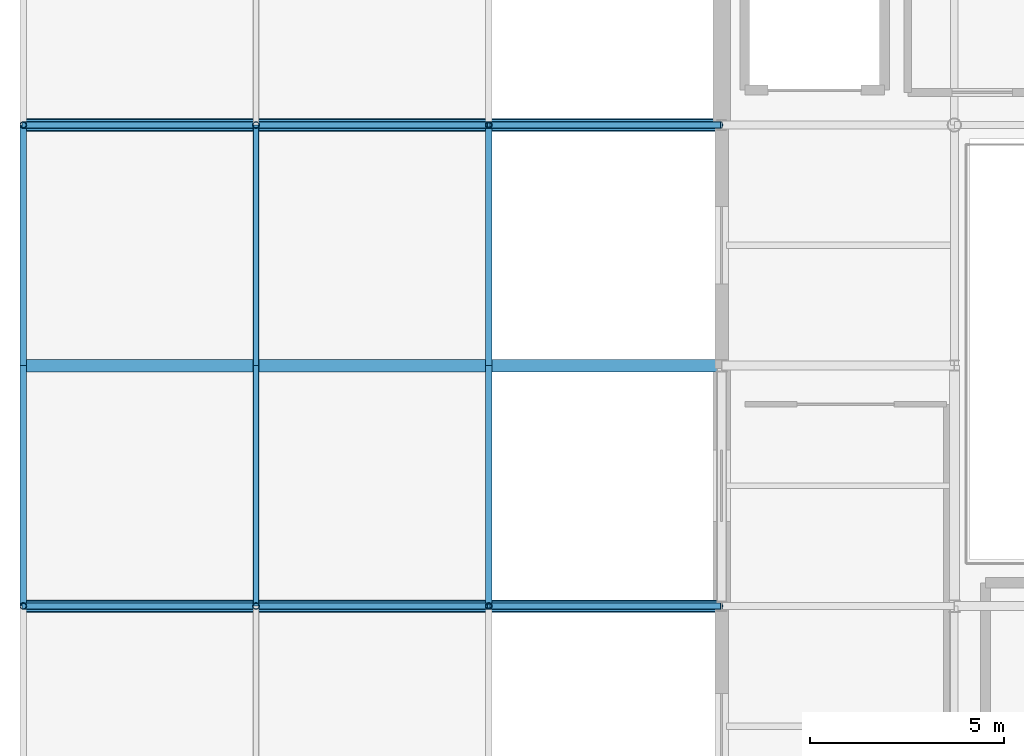
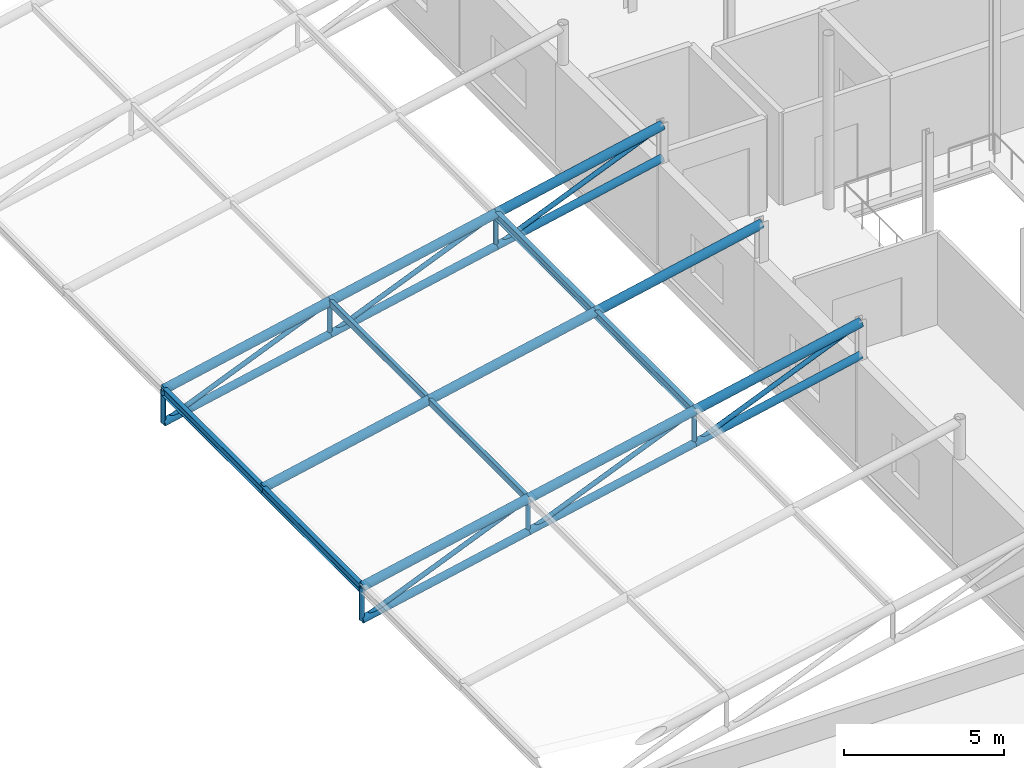
# One storey, part 21 of 84: 33 members.
"""IFC4 building model written with IfcOpenShell, lengths in metres."""

from ifc_helpers import new_model, si_unit, direction, frame, origin, origin_2d, place, context, subcontext, project, spatial, hollow_rectangle, hollow_circle, i_section, extrude, material, material_profile, profile_set, type_object, element, save


model = new_model("IFC4")

# Units and contexts
model_context = context("Model", 3, precision=1e-05, world=origin(), true_north=direction((0.0, 1.0)))
body_context = subcontext(model_context, "Body", "Model", "MODEL_VIEW")
ifc_project = project(units=[si_unit("LENGTHUNIT", "METRE"), si_unit("AREAUNIT", "SQUARE_METRE"), si_unit("VOLUMEUNIT", "CUBIC_METRE"), si_unit("PLANEANGLEUNIT", "RADIAN"), si_unit("MASSUNIT", "GRAM", prefix="KILO")], contexts=[model_context])

# Site, building, storey
site_placement = place(None, origin())
site = spatial("IfcSite", under=ifc_project, at=site_placement, CompositionType="ELEMENT")
building_placement = place(site_placement, origin())
building = spatial("IfcBuilding", under=site, at=building_placement, Name="Mirzam Square Science Centre", CompositionType="ELEMENT")
storey_placement = place(building_placement, frame((0.0, 0.0, 10.800048828125)))
storey = spatial("IfcBuildingStorey", under=building, at=storey_placement, Name="L02", CompositionType="ELEMENT", Elevation=10.800048828125)

# Members
ifc_material = material(Name="Steel S355", Category="steel")
ifc_material_profile_1 = material_profile(ifc_material, hollow_circle(Radius=0.084228515625, WallThickness=0.008056640625, at=origin_2d()), Name="168.3x8.0CHS")
ifc_profile_set_1 = profile_set([ifc_material_profile_1], Name="Steel S355")
member_type_1 = type_object("IfcMemberType", Name="BR-CHS168", PredefinedType="BRACE", material=ifc_profile_set_1)
member_1_placement = place(storey_placement, frame((0.0, 49.60009765625, 0.174560546875), z_axis=(0.922529582988, 0.0, 0.385926377063), x_axis=(0.0, 1.0, 0.0)))
element("IfcMember", 1, at=member_1_placement, inside=storey, type_object=member_type_1, Name="Wedge truss web diagonal Y9 bay 1", PredefinedType="BRACE", context=body_context, shape_type="SweptSolid", body=[
    extrude(hollow_circle(Radius=0.084228515625, WallThickness=0.008056640625, at=origin_2d()), origin(), (0.0, 0.0, 1.0), 6.50390625),
])
member_2_placement = place(storey_placement, frame((0.0, 49.60009765625, 0.174560546875), z_axis=(0.0, 0.0, 1.0), x_axis=(1.0, 0.0, 0.0)))
element("IfcMember", 2, at=member_2_placement, inside=storey, type_object=member_type_1, Name="Wedge truss post Y9 bay 1", PredefinedType="BRACE", context=body_context, shape_type="SweptSolid", body=[
    extrude(hollow_circle(Radius=0.084228515625, WallThickness=0.008056640625, at=origin_2d()), origin(), (0.0, 0.0, 1.0), 1.25),
])
member_3_placement = place(storey_placement, frame((6.0, 49.60009765625, 1.4345703125), z_axis=(0.922542947163, 0.0, 0.385894429396), x_axis=(0.0, 1.0, 0.0)))
element("IfcMember", 3, at=member_3_placement, inside=storey, type_object=member_type_1, Name="Wedge truss web diagonal Y9 bay 2", PredefinedType="BRACE", context=body_context, shape_type="SweptSolid", body=[
    extrude(hollow_circle(Radius=0.084228515625, WallThickness=0.008056640625, at=origin_2d()), origin(), (0.0, 0.0, 1.0), 6.503662109375),
])
member_4_placement = place(storey_placement, frame((6.0, 49.60009765625, 1.4345703125), z_axis=(0.0, 0.0, 1.0), x_axis=(1.0, 0.0, 0.0)))
element("IfcMember", 4, at=member_4_placement, inside=storey, type_object=member_type_1, Name="Wedge truss post Y9 bay 2", PredefinedType="BRACE", context=body_context, shape_type="SweptSolid", body=[
    extrude(hollow_circle(Radius=0.084228515625, WallThickness=0.008056640625, at=origin_2d()), origin(), (0.0, 0.0, 1.0), 1.25),
])
member_5_placement = place(storey_placement, frame((12.0, 49.60009765625, 2.6943359375), z_axis=(0.922529582988, 0.0, 0.385926377063), x_axis=(0.0, 1.0, 0.0)))
element("IfcMember", 5, at=member_5_placement, inside=storey, type_object=member_type_1, Name="Wedge truss web diagonal Y9 bay 3", PredefinedType="BRACE", context=body_context, shape_type="SweptSolid", body=[
    extrude(hollow_circle(Radius=0.084228515625, WallThickness=0.008056640625, at=origin_2d()), origin(), (0.0, 0.0, 1.0), 6.50390625),
])
member_6_placement = place(storey_placement, frame((12.0, 49.60009765625, 2.6943359375), z_axis=(0.0, 0.0, 1.0), x_axis=(1.0, 0.0, 0.0)))
element("IfcMember", 6, at=member_6_placement, inside=storey, type_object=member_type_1, Name="Wedge truss post Y9 bay 3", PredefinedType="BRACE", context=body_context, shape_type="SweptSolid", body=[
    extrude(hollow_circle(Radius=0.084228515625, WallThickness=0.008056640625, at=origin_2d()), origin(), (0.0, 0.0, 1.0), 1.25),
])
member_7_placement = place(storey_placement, frame((0.0, 62.0, 0.174560546875), z_axis=(0.922529582988, 0.0, 0.385926377063), x_axis=(0.0, 1.0, 0.0)))
element("IfcMember", 7, at=member_7_placement, inside=storey, type_object=member_type_1, Name="Wedge truss web diagonal Y11 bay 1", PredefinedType="BRACE", context=body_context, shape_type="SweptSolid", body=[
    extrude(hollow_circle(Radius=0.084228515625, WallThickness=0.008056640625, at=origin_2d()), origin(), (0.0, 0.0, 1.0), 6.50390625),
])
member_8_placement = place(storey_placement, frame((0.0, 62.0, 0.174560546875), z_axis=(0.0, 0.0, 1.0), x_axis=(1.0, 0.0, 0.0)))
element("IfcMember", 8, at=member_8_placement, inside=storey, type_object=member_type_1, Name="Wedge truss post Y11 bay 1", PredefinedType="BRACE", context=body_context, shape_type="SweptSolid", body=[
    extrude(hollow_circle(Radius=0.084228515625, WallThickness=0.008056640625, at=origin_2d()), origin(), (0.0, 0.0, 1.0), 1.25),
])
member_9_placement = place(storey_placement, frame((6.0, 62.0, 1.4345703125), z_axis=(0.922542947163, 0.0, 0.385894429396), x_axis=(0.0, 1.0, 0.0)))
element("IfcMember", 9, at=member_9_placement, inside=storey, type_object=member_type_1, Name="Wedge truss web diagonal Y11 bay 2", PredefinedType="BRACE", context=body_context, shape_type="SweptSolid", body=[
    extrude(hollow_circle(Radius=0.084228515625, WallThickness=0.008056640625, at=origin_2d()), origin(), (0.0, 0.0, 1.0), 6.503662109375),
])
member_10_placement = place(storey_placement, frame((6.0, 62.0, 1.4345703125), z_axis=(0.0, 0.0, 1.0), x_axis=(1.0, 0.0, 0.0)))
element("IfcMember", 10, at=member_10_placement, inside=storey, type_object=member_type_1, Name="Wedge truss post Y11 bay 2", PredefinedType="BRACE", context=body_context, shape_type="SweptSolid", body=[
    extrude(hollow_circle(Radius=0.084228515625, WallThickness=0.008056640625, at=origin_2d()), origin(), (0.0, 0.0, 1.0), 1.25),
])
member_11_placement = place(storey_placement, frame((12.0, 62.0, 2.6943359375), z_axis=(0.922529582988, 0.0, 0.385926377063), x_axis=(0.0, 1.0, 0.0)))
element("IfcMember", 11, at=member_11_placement, inside=storey, type_object=member_type_1, Name="Wedge truss web diagonal Y11 bay 3", PredefinedType="BRACE", context=body_context, shape_type="SweptSolid", body=[
    extrude(hollow_circle(Radius=0.084228515625, WallThickness=0.008056640625, at=origin_2d()), origin(), (0.0, 0.0, 1.0), 6.50390625),
])
member_12_placement = place(storey_placement, frame((12.0, 62.0, 2.6943359375), z_axis=(0.0, 0.0, 1.0), x_axis=(1.0, 0.0, 0.0)))
element("IfcMember", 12, at=member_12_placement, inside=storey, type_object=member_type_1, Name="Wedge truss post Y11 bay 3", PredefinedType="BRACE", context=body_context, shape_type="SweptSolid", body=[
    extrude(hollow_circle(Radius=0.084228515625, WallThickness=0.008056640625, at=origin_2d()), origin(), (0.0, 0.0, 1.0), 1.25),
])
ifc_material_profile_2 = material_profile(ifc_material, hollow_circle(Radius=0.136474609375, WallThickness=0.010009765625, at=origin_2d()), Name="273.0x10.0CHS")
ifc_profile_set_2 = profile_set([ifc_material_profile_2], Name="Steel S355")
member_type_2 = type_object("IfcMemberType", Name="CH-CHS273", PredefinedType="CHORD", material=ifc_profile_set_2)
for number, where, z_axis, x_axis, name in (
    (13, (0.0, 49.60009765625, 0.174560546875), (0.978653176229, 0.0, 0.205518759868), (0.0, 1.0, 0.0), "Wedge truss bottom chord Y9 bay 1"),
    (14, (6.0, 49.60009765625, 1.4345703125), (0.978661184912, 0.0, 0.205480619879), (0.0, 1.0, 0.0), "Wedge truss bottom chord Y9 bay 2"),
    (15, (12.0, 49.60009765625, 2.6943359375), (0.978653176229, 0.0, 0.205518759868), (0.0, 1.0, 0.0), "Wedge truss bottom chord Y9 bay 3"),
    (16, (0.0, 62.0, 0.174560546875), (0.978653176229, 0.0, 0.205518759868), (0.0, 1.0, 0.0), "Wedge truss bottom chord Y11 bay 1"),
    (17, (6.0, 62.0, 1.4345703125), (0.978661184912, 0.0, 0.205480619879), (0.0, 1.0, 0.0), "Wedge truss bottom chord Y11 bay 2"),
    (18, (12.0, 62.0, 2.6943359375), (0.978653176229, 0.0, 0.205518759868), (0.0, 1.0, 0.0), "Wedge truss bottom chord Y11 bay 3"),
):
    element("IfcMember", number, at=place(storey_placement, frame(where, z_axis=z_axis, x_axis=x_axis)), inside=storey, type_object=member_type_2, Name=name, PredefinedType="CHORD", context=body_context, shape_type="SweptSolid", body=[
        extrude(hollow_circle(Radius=0.136474609375, WallThickness=0.010009765625, at=origin_2d()), origin(), (0.0, 0.0, 1.0), 6.130859375),
    ])
ifc_material_profile_3 = material_profile(ifc_material, hollow_circle(Radius=0.161865234375, WallThickness=0.012451171875, at=origin_2d()), Name="323.9x12.5CHS")
ifc_profile_set_3 = profile_set([ifc_material_profile_3], Name="Steel S355")
member_type_3 = type_object("IfcMemberType", Name="CH-CHS324", PredefinedType="CHORD", material=ifc_profile_set_3)
for number, where, z_axis, x_axis, name in (
    (19, (0.0, 49.60009765625, 1.424560546875), (0.978653176229, 0.0, 0.205518759868), (0.0, 1.0, 0.0), "Wedge truss top chord Y9 bay 1"),
    (20, (6.0, 49.60009765625, 2.6845703125), (0.978661184912, 0.0, 0.205480619879), (0.0, 1.0, 0.0), "Wedge truss top chord Y9 bay 2"),
    (21, (12.0, 49.60009765625, 3.9443359375), (0.978653176229, 0.0, 0.205518759868), (0.0, 1.0, 0.0), "Wedge truss top chord Y9 bay 3"),
    (22, (0.0, 55.800048828125, 1.424560546875), (0.978653176229, 0.0, 0.205518759868), (0.0, 1.0, 0.0), "Wedge truss top chord Y10 bay 1"),
    (23, (6.0, 55.800048828125, 2.6845703125), (0.978661184912, 0.0, 0.205480619879), (0.0, 1.0, 0.0), "Wedge truss top chord Y10 bay 2"),
    (24, (12.0, 55.800048828125, 3.9443359375), (0.978653176229, 0.0, 0.205518759868), (0.0, 1.0, 0.0), "Wedge truss top chord Y10 bay 3"),
    (25, (0.0, 62.0, 1.424560546875), (0.978653176229, 0.0, 0.205518759868), (0.0, 1.0, 0.0), "Wedge truss top chord Y11 bay 1"),
    (26, (6.0, 62.0, 2.6845703125), (0.978661184912, 0.0, 0.205480619879), (0.0, 1.0, 0.0), "Wedge truss top chord Y11 bay 2"),
    (27, (12.0, 62.0, 3.9443359375), (0.978653176229, 0.0, 0.205518759868), (0.0, 1.0, 0.0), "Wedge truss top chord Y11 bay 3"),
):
    element("IfcMember", number, at=place(storey_placement, frame(where, z_axis=z_axis, x_axis=x_axis)), inside=storey, type_object=member_type_3, Name=name, PredefinedType="CHORD", context=body_context, shape_type="SweptSolid", body=[
        extrude(hollow_circle(Radius=0.161865234375, WallThickness=0.012451171875, at=origin_2d()), origin(), (0.0, 0.0, 1.0), 6.130859375),
    ])
ifc_material_profile_4 = material_profile(ifc_material, hollow_rectangle(XDim=0.14990234375, YDim=0.25, WallThickness=0.010009765625, InnerFilletRadius=0.010009765625, OuterFilletRadius=0.02001953125, at=origin_2d()), Name="250x150x10.0RHS")
ifc_profile_set_4 = profile_set([ifc_material_profile_4], Name="Steel S355")
member_type_4 = type_object("IfcMemberType", Name="RF-RHS250", PredefinedType="RAFTER", material=ifc_profile_set_4)
for number, where, z_axis, x_axis, name in (
    (28, (6.0, 49.60009765625, 2.687255859375), (0.0, 1.0, 0.0), (-1.0, 0.0, 0.0), "Wedge roof rafter X2-9"),
    (29, (6.0, 55.800048828125, 2.687255859375), (0.0, 1.0, 0.0), (-1.0, 0.0, 0.0), "Wedge roof rafter X2-10"),
):
    element("IfcMember", number, at=place(storey_placement, frame(where, z_axis=z_axis, x_axis=x_axis)), inside=storey, type_object=member_type_4, Name=name, PredefinedType="RAFTER", context=body_context, shape_type="SweptSolid", body=[
        extrude(hollow_rectangle(XDim=0.14990234375, YDim=0.25, WallThickness=0.010009765625, InnerFilletRadius=0.010009765625, OuterFilletRadius=0.02001953125, at=origin_2d()), origin(), (0.0, 0.0, 1.0), 6.199951171875),
    ])
ifc_material_profile_5 = material_profile(ifc_material, i_section(OverallWidth=0.165771484375, OverallDepth=0.306640625, WebThickness=0.006591796875, FlangeThickness=0.01171875, FilletRadius=0.0087890625, at=origin_2d()), Name="305x165x46UB")
ifc_profile_set_5 = profile_set([ifc_material_profile_5], Name="Steel S355")
member_type_5 = type_object("IfcMemberType", Name="RF-UB305", PredefinedType="RAFTER", material=ifc_profile_set_5)
for number, where, z_axis, x_axis, name in (
    (30, (0.0, 49.60009765625, 1.3984375), (0.0, 1.0, 0.0), (-1.0, 0.0, 0.0), "Wedge roof rafter X1-9"),
    (31, (12.0, 49.60009765625, 3.91845703125), (0.0, 1.0, 0.0), (-1.0, 0.0, 0.0), "Wedge roof rafter X3-9"),
    (32, (0.0, 55.800048828125, 1.3984375), (0.0, 1.0, 0.0), (-1.0, 0.0, 0.0), "Wedge roof rafter X1-10"),
    (33, (12.0, 55.800048828125, 3.91845703125), (0.0, 1.0, 0.0), (-1.0, 0.0, 0.0), "Wedge roof rafter X3-10"),
):
    element("IfcMember", number, at=place(storey_placement, frame(where, z_axis=z_axis, x_axis=x_axis)), inside=storey, type_object=member_type_5, Name=name, PredefinedType="RAFTER", context=body_context, shape_type="SweptSolid", body=[
        extrude(i_section(OverallWidth=0.165771484375, OverallDepth=0.306640625, WebThickness=0.006591796875, FlangeThickness=0.01171875, FilletRadius=0.0087890625, at=origin_2d()), origin(), (0.0, 0.0, 1.0), 6.199951171875),
    ])

save(model, "model.ifc")
